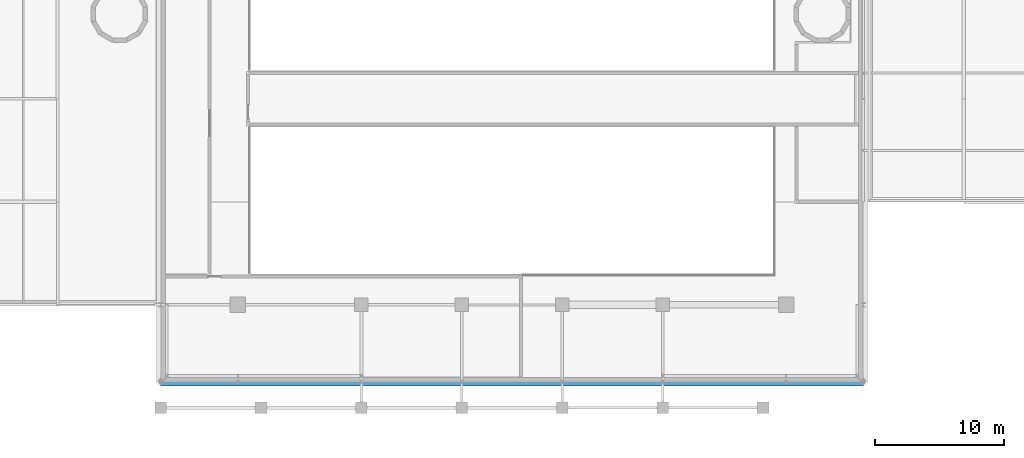
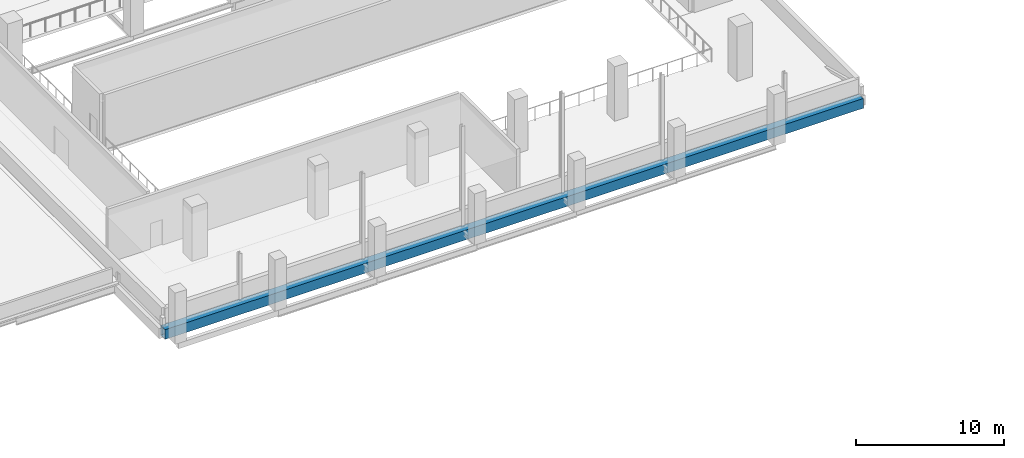
# One storey, part 32 of 85: 1 beam.
"""IFC4 building model written with IfcOpenShell, lengths in metres."""

from ifc_helpers import new_model, si_unit, derived_unit, direction, frame, origin, origin_2d, place, context, subcontext, project, spatial, hollow_rectangle, extrude, material, material_profile, profile_set, type_object, element, save


model = new_model("IFC4")

# Units and contexts
model_context = context("Model", 3, precision=1e-05, world=origin(), true_north=direction((0.0, 1.0)))
body_context = subcontext(model_context, "Body", "Model", "MODEL_VIEW")
ifc_project = project(units=[si_unit("LENGTHUNIT", "METRE"), si_unit("AREAUNIT", "SQUARE_METRE"), si_unit("VOLUMEUNIT", "CUBIC_METRE"), si_unit("PLANEANGLEUNIT", "RADIAN"), si_unit("MASSUNIT", "GRAM", prefix="KILO"), derived_unit("THERMALTRANSMITTANCEUNIT", [(si_unit("POWERUNIT", "WATT"), 1), (si_unit("LENGTHUNIT", "METRE"), -2), (si_unit("THERMODYNAMICTEMPERATUREUNIT", "KELVIN"), -1)])], contexts=[model_context])

# Site, building, storey
site_placement = place(None, origin())
site = spatial("IfcSite", under=ifc_project, at=site_placement, CompositionType="ELEMENT")
building_placement = place(site_placement, origin())
building = spatial("IfcBuilding", under=site, at=building_placement, Name="Nallur Shell Playhouse", CompositionType="ELEMENT")
storey_placement = place(building_placement, frame((0.0, 0.0, 19.800048828125)))
storey = spatial("IfcBuildingStorey", under=building, at=storey_placement, Name="L05", CompositionType="ELEMENT", Elevation=19.800048828125)

# Beam
ifc_material = material(Name="Steel E350", Category="steel")
ifc_material_profile = material_profile(ifc_material, hollow_rectangle(XDim=0.60009765625, YDim=0.800048828125, WallThickness=0.02490234375, at=origin_2d()), Name="BOX 600x800x25")
ifc_profile_set = profile_set([ifc_material_profile], Name="Steel E350")
beam_type = type_object("IfcBeamType", Name="BM-TT-CHORD", PredefinedType="BEAM", material=ifc_profile_set)
beam_placement = place(storey_placement, frame((64.0, 10.0, -0.650146484375), z_axis=(1.0, 0.0, 0.0), x_axis=(0.0, 1.0, 0.0)))
element("IfcBeam", 1, at=beam_placement, inside=storey, type_object=beam_type, Name="Gold box perimeter chord L05-S1", PredefinedType="BEAM", context=body_context, shape_type="SweptSolid", body=[
    extrude(hollow_rectangle(XDim=0.60009765625, YDim=0.800048828125, WallThickness=0.02490234375, at=origin_2d()), origin(), (0.0, 0.0, 1.0), 54.60009765625),
])

save(model, "model.ifc")
